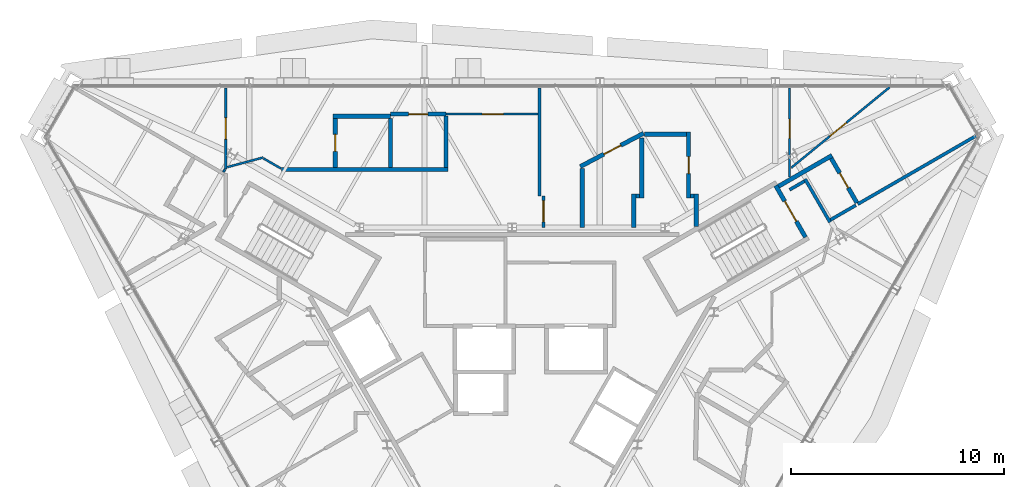
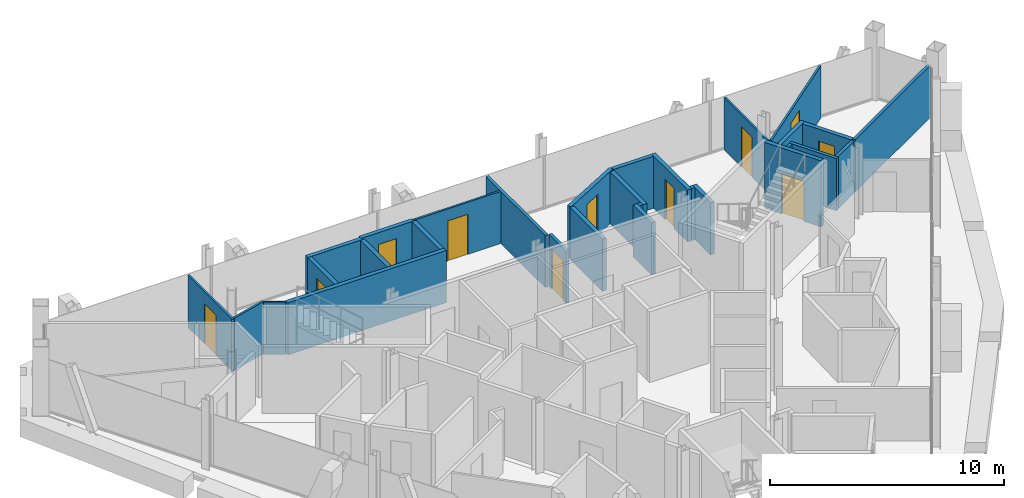
# One storey, part 12 of 15: 31 walls, 11 doors, 11 openings.
"""IFC4 building model written with IfcOpenShell, lengths in metres."""

from ifc_helpers import new_model, si_unit, direction, frame, frame_2d, origin, place, context, subcontext, project, spatial, rectangle, extrude, material, layer, layer_set, type_object, element, fill, save


model = new_model("IFC4")

# Units and contexts
model_context = context("Model", 3, precision=1e-05, world=origin(), true_north=direction((0.0, 1.0)))
body_context = subcontext(model_context, "Body", "Model", "MODEL_VIEW")
ifc_project = project(units=[si_unit("LENGTHUNIT", "METRE"), si_unit("AREAUNIT", "SQUARE_METRE"), si_unit("VOLUMEUNIT", "CUBIC_METRE"), si_unit("PLANEANGLEUNIT", "RADIAN"), si_unit("MASSUNIT", "GRAM", prefix="KILO")], contexts=[model_context])

# Site, building, storey
site_placement = place(None, origin())
site = spatial("IfcSite", under=ifc_project, at=site_placement, CompositionType="ELEMENT")
building_placement = place(site_placement, origin())
building = spatial("IfcBuilding", under=site, at=building_placement, Name="Verrane Prism Tower", CompositionType="ELEMENT")
storey_placement = place(building_placement, frame((0.0, 0.0, 301.0)))
storey = spatial("IfcBuildingStorey", under=building, at=storey_placement, Name="L76", CompositionType="ELEMENT", Elevation=301.0)

# Wall, opening, door
ifc_material_1 = material(Name="Concrete C40/50", Category="concrete")
ifc_layer_1 = layer(ifc_material_1, 0.199951171875)
ifc_layer_set_1 = layer_set([ifc_layer_1], Name="CW-200 stair core wall concrete C40/50 3 h")
wall_type_1 = type_object("IfcWallType", Name="CW-200 stair core wall concrete C40/50 3 h", PredefinedType="PARTITIONING", material=ifc_layer_set_1)
wall_1_placement = place(storey_placement, frame((13.777099609375, 6.337646484375, 0.0), z_axis=(0.0, 0.0, 1.0), x_axis=(-0.500049511043, 0.865996816683, 0.0)))
wall_1 = element("IfcWall", 1, at=wall_1_placement, inside=storey, type_object=wall_type_1, Name="Stair 1 enclosure wall", PredefinedType="PARTITIONING", context=body_context, shape_type="SweptSolid", body=[
    extrude(rectangle(XDim=2.800048828125, YDim=0.199951171875, at=frame_2d((1.39990234375, 0.0))), origin(), (0.0, 0.0, 1.0), 3.449951171875),
])
opening_1_placement = place(wall_1_placement, frame((0.849853515625, 0.0, 0.0)))
opening_1 = element("IfcOpeningElement", 2, at=opening_1_placement, cuts=wall_1, Name="Opening D75500", PredefinedType="OPENING", context=body_context, shape_type="SweptSolid", body=[
    extrude(rectangle(XDim=1.10009765625, YDim=2.10009765625, at=frame_2d((0.550048828125, 1.050048828125))), frame((0.0, 0.10986328125, 0.0), z_axis=(0.0, -1.0, 0.0), x_axis=(1.0, 0.0, 0.0)), (0.0, 0.0, 1.0), 0.219970703125),
])
ifc_material_2 = material(Name="Timber veneered door leaf", Category="wood")
door_type_1 = type_object("IfcDoorType", Name="DR-1100x2100 FD90 single leaf stair", OperationType="NOTDEFINED", PredefinedType="DOOR", material=ifc_material_2)
door_1_placement = place(opening_1_placement, origin())
door_1 = element("IfcDoor", 3, at=door_1_placement, inside=storey, type_object=door_type_1, Name="Stair 1 door", OperationType="SINGLE_SWING_LEFT", OverallHeight=2.10009765625, OverallWidth=1.10009765625, PredefinedType="DOOR", context=body_context, shape_type="SweptSolid", body=[
    extrude(rectangle(XDim=1.10009765625, YDim=2.10009765625, at=frame_2d((0.550048828125, 1.050048828125))), frame((0.0, 0.02490234375, 0.0), z_axis=(0.0, -1.0, 0.0), x_axis=(1.0, 0.0, 0.0)), (0.0, 0.0, 1.0), 0.050048828125),
])
fill(opening_1, door_1)

# Wall
ifc_material_3 = material(Name="Gypsum board partition", Category="other")
ifc_layer_2 = layer(ifc_material_3, 0.10009765625)
ifc_layer_set_2 = layer_set([ifc_layer_2], Name="PW-100 room partition")
wall_type_2 = type_object("IfcWallType", Name="PW-100 room partition", PredefinedType="PARTITIONING", material=ifc_layer_set_2)
wall_2_placement = place(storey_placement, frame((-13.5654296875, 9.404052734375, 0.0), z_axis=(0.0, 0.0, 1.0), x_axis=(0.500563174455, 0.865700010615, 0.0)))
element("IfcWall", 4, at=wall_2_placement, inside=storey, type_object=wall_type_2, Name="Room partition 009", PredefinedType="PARTITIONING", context=body_context, shape_type="SweptSolid", body=[
    extrude(rectangle(XDim=0.142333984375, YDim=0.10009765625, at=frame_2d((0.0712890625, 0.0))), origin(), (0.0, 0.0, 1.0), 2.722900390625),
])

# Wall, opening, door
wall_3_placement = place(storey_placement, frame((-13.458984375, 9.5380859375, 0.0), z_axis=(0.0, 0.0, 1.0), x_axis=(0.0, 1.0, 0.0)))
wall_3 = element("IfcWall", 5, at=wall_3_placement, inside=storey, type_object=wall_type_2, Name="Room partition 011", PredefinedType="PARTITIONING", context=body_context, shape_type="SweptSolid", body=[
    extrude(rectangle(XDim=3.81298828125, YDim=0.10009765625, at=frame_2d((1.906494140625, 0.0))), origin(), (0.0, 0.0, 1.0), 2.722900390625),
])
opening_2_placement = place(wall_3_placement, frame((1.39990234375, 0.0, 0.0)))
opening_2 = element("IfcOpeningElement", 6, at=opening_2_placement, cuts=wall_3, Name="Opening D75019", PredefinedType="OPENING", context=body_context, shape_type="SweptSolid", body=[
    extrude(rectangle(XDim=1.0, YDim=2.10009765625, at=frame_2d((0.5, 1.050048828125))), frame((0.0, 0.06005859375, 0.0), z_axis=(0.0, -1.0, 0.0), x_axis=(1.0, 0.0, 0.0)), (0.0, 0.0, 1.0), 0.1201171875),
])
ifc_material_4 = material(Name="Timber veneered door leaf", Category="wood")
door_type_2 = type_object("IfcDoorType", Name="DR-1000x2100 single leaf inner", OperationType="NOTDEFINED", PredefinedType="DOOR", material=ifc_material_4)
door_2_placement = place(opening_2_placement, origin())
door_2 = element("IfcDoor", 7, at=door_2_placement, inside=storey, type_object=door_type_2, Name="Living And Dining Room door", OperationType="SINGLE_SWING_LEFT", OverallHeight=2.10009765625, OverallWidth=1.0, PredefinedType="DOOR", context=body_context, shape_type="SweptSolid", body=[
    extrude(rectangle(XDim=1.0, YDim=2.10009765625, at=frame_2d((0.5, 1.050048828125))), frame((0.0, 0.02490234375, 0.0), z_axis=(0.0, -1.0, 0.0), x_axis=(1.0, 0.0, 0.0)), (0.0, 0.0, 1.0), 0.050048828125),
])
fill(opening_2, door_2)

# Walls
wall_4_placement = place(storey_placement, frame((-13.383056640625, 9.6279296875, 0.0), z_axis=(0.0, 0.0, 1.0), x_axis=(0.966010217228, 0.258503888194, 0.0)))
element("IfcWall", 8, at=wall_4_placement, inside=storey, type_object=wall_type_2, Name="Room partition 012", PredefinedType="PARTITIONING", context=body_context, shape_type="SweptSolid", body=[
    extrude(rectangle(XDim=1.751953125, YDim=0.10009765625, at=frame_2d((0.8759765625, 0.0))), origin(), (0.0, 0.0, 1.0), 2.722900390625),
])
wall_5_placement = place(storey_placement, frame((-11.678466796875, 10.032958984375, 0.0), z_axis=(0.0, 0.0, 1.0), x_axis=(0.866116627388, -0.499841962787, 0.0)))
element("IfcWall", 9, at=wall_5_placement, inside=storey, type_object=wall_type_2, Name="Room partition 016", PredefinedType="PARTITIONING", context=body_context, shape_type="SweptSolid", body=[
    extrude(rectangle(XDim=0.943115234375, YDim=0.10009765625, at=frame_2d((0.4716796875, 0.0))), origin(), (0.0, 0.0, 1.0), 2.722900390625),
])

# Wall, opening, door
wall_6_placement = place(storey_placement, frame((-3.10888671875, 12.118896484375, 0.0), z_axis=(0.0, 0.0, 1.0), x_axis=(1.0, 0.0, 0.0)))
wall_6 = element("IfcWall", 10, at=wall_6_placement, inside=storey, type_object=wall_type_2, Name="Room partition 039", PredefinedType="PARTITIONING", context=body_context, shape_type="SweptSolid", body=[
    extrude(rectangle(XDim=4.31982421875, YDim=0.10009765625, at=frame_2d((2.159912109375, 0.0))), origin(), (0.0, 0.0, 1.0), 2.722900390625),
])
opening_3_placement = place(wall_6_placement, frame((1.699951171875, 0.0, 0.0)))
opening_3 = element("IfcOpeningElement", 11, at=opening_3_placement, cuts=wall_6, Name="Opening D75017", PredefinedType="OPENING", context=body_context, shape_type="SweptSolid", body=[
    extrude(rectangle(XDim=1.0, YDim=2.10009765625, at=frame_2d((0.5, 1.050048828125))), frame((0.0, 0.06005859375, 0.0), z_axis=(0.0, -1.0, 0.0), x_axis=(1.0, 0.0, 0.0)), (0.0, 0.0, 1.0), 0.1201171875),
])
door_3_placement = place(opening_3_placement, origin())
door_3 = element("IfcDoor", 12, at=door_3_placement, inside=storey, type_object=door_type_2, Name="Entrance Foyer door", OperationType="SINGLE_SWING_LEFT", OverallHeight=2.10009765625, OverallWidth=1.0, PredefinedType="DOOR", context=body_context, shape_type="SweptSolid", body=[
    extrude(rectangle(XDim=1.0, YDim=2.10009765625, at=frame_2d((0.5, 1.050048828125))), frame((0.0, 0.02490234375, 0.0), z_axis=(0.0, -1.0, 0.0), x_axis=(1.0, 0.0, 0.0)), (0.0, 0.0, 1.0), 0.050048828125),
])
fill(opening_3, door_3)

wall_7_placement = place(storey_placement, frame((13.031005859375, 13.35107421875, 0.0), z_axis=(0.0, 0.0, 1.0), x_axis=(0.0, -1.0, 0.0)))
wall_7 = element("IfcWall", 13, at=wall_7_placement, inside=storey, type_object=wall_type_2, Name="Room partition 084", PredefinedType="PARTITIONING", context=body_context, shape_type="SweptSolid", body=[
    extrude(rectangle(XDim=4.1826171875, YDim=0.10009765625, at=frame_2d((2.09130859375, 0.0))), origin(), (0.0, 0.0, 1.0), 2.722900390625),
])
opening_4_placement = place(wall_7_placement, frame((1.468994140625, 0.0, 0.0)))
opening_4 = element("IfcOpeningElement", 14, at=opening_4_placement, cuts=wall_7, Name="Opening D75011", PredefinedType="OPENING", context=body_context, shape_type="SweptSolid", body=[
    extrude(rectangle(XDim=0.89990234375, YDim=2.10009765625, at=frame_2d((0.449951171875, 1.050048828125))), frame((0.0, 0.06005859375, 0.0), z_axis=(0.0, -1.0, 0.0), x_axis=(1.0, 0.0, 0.0)), (0.0, 0.0, 1.0), 0.1201171875),
])
ifc_material_5 = material(Name="Timber veneered door leaf", Category="wood")
door_type_3 = type_object("IfcDoorType", Name="DR-900x2100 single leaf inner", OperationType="NOTDEFINED", PredefinedType="DOOR", material=ifc_material_5)
door_4_placement = place(opening_4_placement, origin())
door_4 = element("IfcDoor", 15, at=door_4_placement, inside=storey, type_object=door_type_3, Name="Living And Dining Room door", OperationType="SINGLE_SWING_RIGHT", OverallHeight=2.10009765625, OverallWidth=0.89990234375, PredefinedType="DOOR", context=body_context, shape_type="SweptSolid", body=[
    extrude(rectangle(XDim=0.89990234375, YDim=2.10009765625, at=frame_2d((0.449951171875, 1.050048828125))), frame((0.0, 0.02490234375, 0.0), z_axis=(0.0, -1.0, 0.0), x_axis=(1.0, 0.0, 0.0)), (0.0, 0.0, 1.0), 0.050048828125),
])
fill(opening_4, door_4)

wall_8_placement = place(storey_placement, frame((17.73291015625, 13.38037109375, 0.0), z_axis=(0.0, 0.0, 1.0), x_axis=(-0.773858908961, -0.633358025939, 0.0)))
wall_8 = element("IfcWall", 16, at=wall_8_placement, inside=storey, type_object=wall_type_2, Name="Room partition 085", PredefinedType="PARTITIONING", context=body_context, shape_type="SweptSolid", body=[
    extrude(rectangle(XDim=5.970458984375, YDim=0.10009765625, at=frame_2d((2.9853515625, 0.0))), origin(), (0.0, 0.0, 1.0), 2.722900390625),
])
opening_5_placement = place(wall_8_placement, frame((2.6259765625, 0.0, 0.0)))
opening_5 = element("IfcOpeningElement", 17, at=opening_5_placement, cuts=wall_8, Name="Opening D75015", PredefinedType="OPENING", context=body_context, shape_type="SweptSolid", body=[
    extrude(rectangle(XDim=1.0, YDim=2.10009765625, at=frame_2d((0.5, 1.050048828125))), frame((0.0, 0.06005859375, 0.0), z_axis=(0.0, -1.0, 0.0), x_axis=(1.0, 0.0, 0.0)), (0.0, 0.0, 1.0), 0.1201171875),
])
door_5_placement = place(opening_5_placement, origin())
door_5 = element("IfcDoor", 18, at=door_5_placement, inside=storey, type_object=door_type_2, Name="Study door", OperationType="SINGLE_SWING_RIGHT", OverallHeight=2.10009765625, OverallWidth=1.0, PredefinedType="DOOR", context=body_context, shape_type="SweptSolid", body=[
    extrude(rectangle(XDim=1.0, YDim=2.10009765625, at=frame_2d((0.5, 1.050048828125))), frame((0.0, 0.02490234375, 0.0), z_axis=(0.0, -1.0, 0.0), x_axis=(1.0, 0.0, 0.0)), (0.0, 0.0, 1.0), 0.050048828125),
])
fill(opening_5, door_5)

# Wall
ifc_material_6 = material(Name="Gypsum board partition", Category="other")
ifc_layer_3 = layer(ifc_material_6, 0.14990234375)
ifc_layer_set_3 = layer_set([ifc_layer_3], Name="PW-150 demising wall 1 h")
wall_type_3 = type_object("IfcWallType", Name="PW-150 demising wall 1 h", PredefinedType="PARTITIONING", material=ifc_layer_set_3)
wall_9_placement = place(storey_placement, frame((1.285888671875, 8.26904296875, 0.0), z_axis=(0.0, 0.0, 1.0), x_axis=(0.0, 1.0, 0.0)))
element("IfcWall", 19, at=wall_9_placement, inside=storey, type_object=wall_type_3, Name="Demising wall 047", PredefinedType="PARTITIONING", context=body_context, shape_type="SweptSolid", body=[
    extrude(rectangle(XDim=5.08203125, YDim=0.14990234375, at=frame_2d((2.541015625, 0.0))), origin(), (0.0, 0.0, 1.0), 2.722900390625),
])

# Wall, opening, door
wall_10_placement = place(storey_placement, frame((1.468994140625, 8.26904296875, 0.0), z_axis=(0.0, 0.0, 1.0), x_axis=(0.0, -1.0, 0.0)))
wall_10 = element("IfcWall", 20, at=wall_10_placement, inside=storey, type_object=wall_type_3, Name="Demising wall 050", PredefinedType="PARTITIONING", context=body_context, shape_type="SweptSolid", body=[
    extrude(rectangle(XDim=1.468994140625, YDim=0.14990234375, at=frame_2d((0.734375, 0.0))), origin(), (0.0, 0.0, 1.0), 2.722900390625),
])
opening_6_placement = place(wall_10_placement, frame((0.218994140625, 0.0, 0.0)))
opening_6 = element("IfcOpeningElement", 21, at=opening_6_placement, cuts=wall_10, Name="Opening D75013", PredefinedType="OPENING", context=body_context, shape_type="SweptSolid", body=[
    extrude(rectangle(XDim=1.0, YDim=2.10009765625, at=frame_2d((0.5, 1.050048828125))), frame((0.0, 0.0849609375, 0.0), z_axis=(0.0, -1.0, 0.0), x_axis=(1.0, 0.0, 0.0)), (0.0, 0.0, 1.0), 0.169921875),
])
ifc_material_7 = material(Name="Timber veneered door leaf", Category="wood")
door_type_4 = type_object("IfcDoorType", Name="DR-1000x2100 FD20 single leaf inner", OperationType="NOTDEFINED", PredefinedType="DOOR", material=ifc_material_7)
door_6_placement = place(opening_6_placement, origin())
door_6 = element("IfcDoor", 22, at=door_6_placement, inside=storey, type_object=door_type_4, Name="Entrance Foyer door", OperationType="SINGLE_SWING_RIGHT", OverallHeight=2.10009765625, OverallWidth=1.0, PredefinedType="DOOR", context=body_context, shape_type="SweptSolid", body=[
    extrude(rectangle(XDim=1.0, YDim=2.10009765625, at=frame_2d((0.5, 1.050048828125))), frame((0.0, 0.02490234375, 0.0), z_axis=(0.0, -1.0, 0.0), x_axis=(1.0, 0.0, 0.0)), (0.0, 0.0, 1.0), 0.050048828125),
])
fill(opening_6, door_6)

# Walls
wall_11_placement = place(storey_placement, frame((13.031005859375, 8.56201171875, 0.0), z_axis=(0.0, 0.0, 1.0), x_axis=(0.865798205633, 0.500393312429, 0.0)))
element("IfcWall", 23, at=wall_11_placement, inside=storey, type_object=wall_type_3, Name="Demising wall 083", PredefinedType="PARTITIONING", context=body_context, shape_type="SweptSolid", body=[
    extrude(rectangle(XDim=0.808349609375, YDim=0.14990234375, at=frame_2d((0.404296875, 0.0))), origin(), (0.0, 0.0, 1.0), 2.722900390625),
])
wall_12_placement = place(storey_placement, frame((13.758544921875, 9.06884765625, 0.0), z_axis=(0.0, 0.0, 1.0), x_axis=(0.500046885369, -0.865998332812, 0.0)))
element("IfcWall", 24, at=wall_12_placement, inside=storey, type_object=wall_type_3, Name="Demising wall 086", PredefinedType="PARTITIONING", context=body_context, shape_type="SweptSolid", body=[
    extrude(rectangle(XDim=2.344970703125, YDim=0.14990234375, at=frame_2d((1.17236328125, 0.0))), origin(), (0.0, 0.0, 1.0), 2.722900390625),
])
wall_13_placement = place(storey_placement, frame((14.953857421875, 7.1494140625, 0.0), z_axis=(0.0, 0.0, 1.0), x_axis=(0.865960792519, 0.5001118933, 0.0)))
element("IfcWall", 25, at=wall_13_placement, inside=storey, type_object=wall_type_3, Name="Demising wall 088", PredefinedType="PARTITIONING", context=body_context, shape_type="SweptSolid", body=[
    extrude(rectangle(XDim=1.374755859375, YDim=0.14990234375, at=frame_2d((0.6875, 0.0))), origin(), (0.0, 0.0, 1.0), 2.722900390625),
])
wall_14_placement = place(storey_placement, frame((16.236083984375, 7.888916015625, 0.0), z_axis=(0.0, 0.0, 1.0), x_axis=(0.865995456094, 0.500051867335, 0.0)))
element("IfcWall", 26, at=wall_14_placement, inside=storey, type_object=wall_type_3, Name="Demising wall 091", PredefinedType="PARTITIONING", context=body_context, shape_type="SweptSolid", body=[
    extrude(rectangle(XDim=6.415283203125, YDim=0.14990234375, at=frame_2d((3.20751953125, 0.0))), origin(), (0.0, 0.0, 1.0), 2.722900390625),
])
ifc_material_8 = material(Name="Gypsum board partition", Category="other")
ifc_layer_4 = layer(ifc_material_8, 0.199951171875)
ifc_layer_set_4 = layer_set([ifc_layer_4], Name="PW-200 plumbing wall")
wall_type_4 = type_object("IfcWallType", Name="PW-200 plumbing wall", PredefinedType="PARTITIONING", material=ifc_layer_set_4)
wall_15_placement = place(storey_placement, frame((-10.837890625, 9.51904296875, 0.0), z_axis=(0.0, 0.0, 1.0), x_axis=(1.0, 0.0, 0.0)))
element("IfcWall", 27, at=wall_15_placement, inside=storey, type_object=wall_type_4, Name="Plumbing wall 019", PredefinedType="PARTITIONING", context=body_context, shape_type="SweptSolid", body=[
    extrude(rectangle(XDim=7.823974609375, YDim=0.199951171875, at=frame_2d((3.912109375, 0.0))), origin(), (0.0, 0.0, 1.0), 2.722900390625),
])

# Wall, opening, door
wall_16_placement = place(storey_placement, frame((-8.31396484375, 11.9189453125, 0.0), z_axis=(0.0, 0.0, 1.0), x_axis=(0.0, -1.0, 0.0)))
wall_16 = element("IfcWall", 28, at=wall_16_placement, inside=storey, type_object=wall_type_4, Name="Plumbing wall 022", PredefinedType="PARTITIONING", context=body_context, shape_type="SweptSolid", body=[
    extrude(rectangle(XDim=2.300048828125, YDim=0.199951171875, at=frame_2d((1.14990234375, 0.0))), origin(), (0.0, 0.0, 1.0), 2.722900390625),
])
opening_7_placement = place(wall_16_placement, frame((0.75, 0.0, 0.0)))
opening_7 = element("IfcOpeningElement", 29, at=opening_7_placement, cuts=wall_16, Name="Opening D75020", PredefinedType="OPENING", context=body_context, shape_type="SweptSolid", body=[
    extrude(rectangle(XDim=0.800048828125, YDim=2.10009765625, at=frame_2d((0.39990234375, 1.050048828125))), frame((0.0, 0.10986328125, 0.0), z_axis=(0.0, -1.0, 0.0), x_axis=(1.0, 0.0, 0.0)), (0.0, 0.0, 1.0), 0.219970703125),
])
ifc_material_9 = material(Name="Timber veneered door leaf", Category="wood")
door_type_5 = type_object("IfcDoorType", Name="DR-800x2100 single leaf inner", OperationType="NOTDEFINED", PredefinedType="DOOR", material=ifc_material_9)
door_7_placement = place(opening_7_placement, origin())
door_7 = element("IfcDoor", 30, at=door_7_placement, inside=storey, type_object=door_type_5, Name="Bathroom door", OperationType="SINGLE_SWING_LEFT", OverallHeight=2.10009765625, OverallWidth=0.800048828125, PredefinedType="DOOR", context=body_context, shape_type="SweptSolid", body=[
    extrude(rectangle(XDim=0.800048828125, YDim=2.10009765625, at=frame_2d((0.39990234375, 1.050048828125))), frame((0.0, 0.02490234375, 0.0), z_axis=(0.0, -1.0, 0.0), x_axis=(1.0, 0.0, 0.0)), (0.0, 0.0, 1.0), 0.050048828125),
])
fill(opening_7, door_7)

# Walls
wall_17_placement = place(storey_placement, frame((-8.4140625, 12.01904296875, 0.0), z_axis=(0.0, 0.0, 1.0), x_axis=(1.0, 0.0, 0.0)))
element("IfcWall", 31, at=wall_17_placement, inside=storey, type_object=wall_type_4, Name="Plumbing wall 023", PredefinedType="PARTITIONING", context=body_context, shape_type="SweptSolid", body=[
    extrude(rectangle(XDim=2.699951171875, YDim=0.199951171875, at=frame_2d((1.35009765625, 0.0))), origin(), (0.0, 0.0, 1.0), 2.722900390625),
])
wall_18_placement = place(storey_placement, frame((-5.714111328125, 9.618896484375, 0.0), z_axis=(0.0, 0.0, 1.0), x_axis=(0.0, 1.0, 0.0)))
element("IfcWall", 32, at=wall_18_placement, inside=storey, type_object=wall_type_4, Name="Plumbing wall 030", PredefinedType="PARTITIONING", context=body_context, shape_type="SweptSolid", body=[
    extrude(rectangle(XDim=2.300048828125, YDim=0.199951171875, at=frame_2d((1.14990234375, 0.0))), origin(), (0.0, 0.0, 1.0), 2.722900390625),
])

# Wall, opening, door
wall_19_placement = place(storey_placement, frame((-3.10888671875, 12.118896484375, 0.0), z_axis=(0.0, 0.0, 1.0), x_axis=(-1.0, 0.0, 0.0)))
wall_19 = element("IfcWall", 33, at=wall_19_placement, inside=storey, type_object=wall_type_4, Name="Plumbing wall 031", PredefinedType="PARTITIONING", context=body_context, shape_type="SweptSolid", body=[
    extrude(rectangle(XDim=2.605224609375, YDim=0.199951171875, at=frame_2d((1.302734375, 0.0))), origin(), (0.0, 0.0, 1.0), 2.722900390625),
])
opening_8_placement = place(wall_19_placement, frame((0.85498046875, 0.0, 0.0)))
opening_8 = element("IfcOpeningElement", 34, at=opening_8_placement, cuts=wall_19, Name="Opening D75018", PredefinedType="OPENING", context=body_context, shape_type="SweptSolid", body=[
    extrude(rectangle(XDim=0.89990234375, YDim=2.10009765625, at=frame_2d((0.449951171875, 1.050048828125))), frame((0.0, 0.10986328125, 0.0), z_axis=(0.0, -1.0, 0.0), x_axis=(1.0, 0.0, 0.0)), (0.0, 0.0, 1.0), 0.219970703125),
])
door_8_placement = place(opening_8_placement, origin())
door_8 = element("IfcDoor", 35, at=door_8_placement, inside=storey, type_object=door_type_3, Name="Kitchen door", OperationType="SINGLE_SWING_LEFT", OverallHeight=2.10009765625, OverallWidth=0.89990234375, PredefinedType="DOOR", context=body_context, shape_type="SweptSolid", body=[
    extrude(rectangle(XDim=0.89990234375, YDim=2.10009765625, at=frame_2d((0.449951171875, 1.050048828125))), frame((0.0, 0.02490234375, 0.0), z_axis=(0.0, -1.0, 0.0), x_axis=(1.0, 0.0, 0.0)), (0.0, 0.0, 1.0), 0.050048828125),
])
fill(opening_8, door_8)

# Walls
wall_20_placement = place(storey_placement, frame((-3.114013671875, 9.618896484375, 0.0), z_axis=(0.0, 0.0, 1.0), x_axis=(0.0, 1.0, 0.0)))
element("IfcWall", 36, at=wall_20_placement, inside=storey, type_object=wall_type_4, Name="Plumbing wall 038", PredefinedType="PARTITIONING", context=body_context, shape_type="SweptSolid", body=[
    extrude(rectangle(XDim=2.400146484375, YDim=0.199951171875, at=frame_2d((1.2001953125, 0.0))), origin(), (0.0, 0.0, 1.0), 2.722900390625),
])
wall_21_placement = place(storey_placement, frame((3.285888671875, 6.800048828125, 0.0), z_axis=(0.0, 0.0, 1.0), x_axis=(0.0, 1.0, 0.0)))
element("IfcWall", 37, at=wall_21_placement, inside=storey, type_object=wall_type_4, Name="Plumbing wall 056", PredefinedType="PARTITIONING", context=body_context, shape_type="SweptSolid", body=[
    extrude(rectangle(XDim=2.764892578125, YDim=0.199951171875, at=frame_2d((1.38232421875, 0.0))), origin(), (0.0, 0.0, 1.0), 2.722900390625),
])

# Wall, opening, door
wall_22_placement = place(storey_placement, frame((6.174560546875, 11.215576171875, 0.0), z_axis=(0.0, 0.0, 1.0), x_axis=(-0.885512941371, -0.464614712062, 0.0)))
wall_22 = element("IfcWall", 38, at=wall_22_placement, inside=storey, type_object=wall_type_4, Name="Plumbing wall 057", PredefinedType="PARTITIONING", context=body_context, shape_type="SweptSolid", body=[
    extrude(rectangle(XDim=3.362060546875, YDim=0.199951171875, at=frame_2d((1.68115234375, 0.0))), origin(), (0.0, 0.0, 1.0), 2.722900390625),
])
opening_9_placement = place(wall_22_placement, frame((1.2119140625, 0.0, 0.0)))
opening_9 = element("IfcOpeningElement", 39, at=opening_9_placement, cuts=wall_22, Name="Opening D75014", PredefinedType="OPENING", context=body_context, shape_type="SweptSolid", body=[
    extrude(rectangle(XDim=0.89990234375, YDim=2.10009765625, at=frame_2d((0.449951171875, 1.050048828125))), frame((0.0, 0.10986328125, 0.0), z_axis=(0.0, -1.0, 0.0), x_axis=(1.0, 0.0, 0.0)), (0.0, 0.0, 1.0), 0.219970703125),
])
door_9_placement = place(opening_9_placement, origin())
door_9 = element("IfcDoor", 40, at=door_9_placement, inside=storey, type_object=door_type_3, Name="Kitchen door", OperationType="SINGLE_SWING_LEFT", OverallHeight=2.10009765625, OverallWidth=0.89990234375, PredefinedType="DOOR", context=body_context, shape_type="SweptSolid", body=[
    extrude(rectangle(XDim=0.89990234375, YDim=2.10009765625, at=frame_2d((0.449951171875, 1.050048828125))), frame((0.0, 0.02490234375, 0.0), z_axis=(0.0, -1.0, 0.0), x_axis=(1.0, 0.0, 0.0)), (0.0, 0.0, 1.0), 0.050048828125),
])
fill(opening_9, door_9)

# Walls
wall_23_placement = place(storey_placement, frame((5.7109375, 6.800048828125, 0.0), z_axis=(0.0, 0.0, 1.0), x_axis=(0.0, 1.0, 0.0)))
element("IfcWall", 41, at=wall_23_placement, inside=storey, type_object=wall_type_4, Name="Plumbing wall 063", PredefinedType="PARTITIONING", context=body_context, shape_type="SweptSolid", body=[
    extrude(rectangle(XDim=1.56884765625, YDim=0.199951171875, at=frame_2d((0.784423828125, 0.0))), origin(), (0.0, 0.0, 1.0), 2.722900390625),
])
wall_24_placement = place(storey_placement, frame((5.81103515625, 8.26904296875, 0.0), z_axis=(0.0, 0.0, 1.0), x_axis=(1.0, 0.0, 0.0)))
element("IfcWall", 42, at=wall_24_placement, inside=storey, type_object=wall_type_4, Name="Plumbing wall 064", PredefinedType="PARTITIONING", context=body_context, shape_type="SweptSolid", body=[
    extrude(rectangle(XDim=0.175048828125, YDim=0.199951171875, at=frame_2d((0.08740234375, 0.0))), origin(), (0.0, 0.0, 1.0), 2.722900390625),
])
wall_25_placement = place(storey_placement, frame((6.0859375, 8.1689453125, 0.0), z_axis=(0.0, 0.0, 1.0), x_axis=(0.0, 1.0, 0.0)))
element("IfcWall", 43, at=wall_25_placement, inside=storey, type_object=wall_type_4, Name="Plumbing wall 065", PredefinedType="PARTITIONING", context=body_context, shape_type="SweptSolid", body=[
    extrude(rectangle(XDim=2.8349609375, YDim=0.199951171875, at=frame_2d((1.41748046875, 0.0))), origin(), (0.0, 0.0, 1.0), 2.722900390625),
])
wall_26_placement = place(storey_placement, frame((6.220947265625, 11.1689453125, 0.0), z_axis=(0.0, 0.0, 1.0), x_axis=(1.0, 0.0, 0.0)))
element("IfcWall", 44, at=wall_26_placement, inside=storey, type_object=wall_type_4, Name="Plumbing wall 066", PredefinedType="PARTITIONING", context=body_context, shape_type="SweptSolid", body=[
    extrude(rectangle(XDim=1.965087890625, YDim=0.199951171875, at=frame_2d((0.982421875, 0.0))), origin(), (0.0, 0.0, 1.0), 2.722900390625),
])

# Wall, opening, door
wall_27_placement = place(storey_placement, frame((8.285888671875, 8.1689453125, 0.0), z_axis=(0.0, 0.0, 1.0), x_axis=(0.0, 1.0, 0.0)))
wall_27 = element("IfcWall", 45, at=wall_27_placement, inside=storey, type_object=wall_type_4, Name="Plumbing wall 068", PredefinedType="PARTITIONING", context=body_context, shape_type="SweptSolid", body=[
    extrude(rectangle(XDim=3.10009765625, YDim=0.199951171875, at=frame_2d((1.550048828125, 0.0))), origin(), (0.0, 0.0, 1.0), 2.722900390625),
])
opening_10_placement = place(wall_27_placement, frame((1.14990234375, 0.0, 0.0)))
opening_10 = element("IfcOpeningElement", 46, at=opening_10_placement, cuts=wall_27, Name="Opening D75012", PredefinedType="OPENING", context=body_context, shape_type="SweptSolid", body=[
    extrude(rectangle(XDim=0.800048828125, YDim=2.10009765625, at=frame_2d((0.39990234375, 1.050048828125))), frame((0.0, 0.10986328125, 0.0), z_axis=(0.0, -1.0, 0.0), x_axis=(1.0, 0.0, 0.0)), (0.0, 0.0, 1.0), 0.219970703125),
])
door_10_placement = place(opening_10_placement, origin())
door_10 = element("IfcDoor", 47, at=door_10_placement, inside=storey, type_object=door_type_5, Name="Powder Room door", OperationType="SINGLE_SWING_RIGHT", OverallHeight=2.10009765625, OverallWidth=0.800048828125, PredefinedType="DOOR", context=body_context, shape_type="SweptSolid", body=[
    extrude(rectangle(XDim=0.800048828125, YDim=2.10009765625, at=frame_2d((0.39990234375, 1.050048828125))), frame((0.0, 0.02490234375, 0.0), z_axis=(0.0, -1.0, 0.0), x_axis=(1.0, 0.0, 0.0)), (0.0, 0.0, 1.0), 0.050048828125),
])
fill(opening_10, door_10)

# Walls
wall_28_placement = place(storey_placement, frame((8.385986328125, 8.26904296875, 0.0), z_axis=(0.0, 0.0, 1.0), x_axis=(1.0, 0.0, 0.0)))
element("IfcWall", 48, at=wall_28_placement, inside=storey, type_object=wall_type_4, Name="Plumbing wall 069", PredefinedType="PARTITIONING", context=body_context, shape_type="SweptSolid", body=[
    extrude(rectangle(XDim=0.1630859375, YDim=0.199951171875, at=frame_2d((0.08154296875, 0.0))), origin(), (0.0, 0.0, 1.0), 2.722900390625),
])
wall_29_placement = place(storey_placement, frame((8.64892578125, 6.841064453125, 0.0), z_axis=(0.0, 0.0, 1.0), x_axis=(0.0, 1.0, 0.0)))
element("IfcWall", 49, at=wall_29_placement, inside=storey, type_object=wall_type_4, Name="Plumbing wall 072", PredefinedType="PARTITIONING", context=body_context, shape_type="SweptSolid", body=[
    extrude(rectangle(XDim=1.52783203125, YDim=0.199951171875, at=frame_2d((0.763916015625, 0.0))), origin(), (0.0, 0.0, 1.0), 2.722900390625),
])
wall_30_placement = place(storey_placement, frame((12.513916015625, 8.72607421875, 0.0), z_axis=(0.0, 0.0, 1.0), x_axis=(0.865969617579, 0.500096612097, 0.0)))
element("IfcWall", 50, at=wall_30_placement, inside=storey, type_object=wall_type_4, Name="Plumbing wall 082", PredefinedType="PARTITIONING", context=body_context, shape_type="SweptSolid", body=[
    extrude(rectangle(XDim=2.8994140625, YDim=0.199951171875, at=frame_2d((1.44970703125, 0.0))), origin(), (0.0, 0.0, 1.0), 2.722900390625),
])

# Wall, opening, door
wall_31_placement = place(storey_placement, frame((16.193603515625, 7.951904296875, 0.0), z_axis=(0.0, 0.0, 1.0), x_axis=(-0.500125724882, 0.865952804321, 0.0)))
wall_31 = element("IfcWall", 51, at=wall_31_placement, inside=storey, type_object=wall_type_4, Name="Plumbing wall 089", PredefinedType="PARTITIONING", context=body_context, shape_type="SweptSolid", body=[
    extrude(rectangle(XDim=2.41064453125, YDim=0.199951171875, at=frame_2d((1.205322265625, 0.0))), origin(), (0.0, 0.0, 1.0), 2.722900390625),
])
opening_11_placement = place(wall_31_placement, frame((0.810546875, 0.0, 0.0)))
opening_11 = element("IfcOpeningElement", 52, at=opening_11_placement, cuts=wall_31, Name="Opening D75016", PredefinedType="OPENING", context=body_context, shape_type="SweptSolid", body=[
    extrude(rectangle(XDim=0.800048828125, YDim=2.10009765625, at=frame_2d((0.39990234375, 1.050048828125))), frame((0.0, 0.10986328125, 0.0), z_axis=(0.0, -1.0, 0.0), x_axis=(1.0, 0.0, 0.0)), (0.0, 0.0, 1.0), 0.219970703125),
])
ifc_material_10 = material(Name="Timber veneered door leaf", Category="wood")
door_type_6 = type_object("IfcDoorType", Name="DR-800x2100 single leaf bath", OperationType="NOTDEFINED", PredefinedType="DOOR", material=ifc_material_10)
door_11_placement = place(opening_11_placement, origin())
door_11 = element("IfcDoor", 53, at=door_11_placement, inside=storey, type_object=door_type_6, Name="Master Bathroom door", OperationType="SINGLE_SWING_LEFT", OverallHeight=2.10009765625, OverallWidth=0.800048828125, PredefinedType="DOOR", context=body_context, shape_type="SweptSolid", body=[
    extrude(rectangle(XDim=0.800048828125, YDim=2.10009765625, at=frame_2d((0.39990234375, 1.050048828125))), frame((0.0, 0.02490234375, 0.0), z_axis=(0.0, -1.0, 0.0), x_axis=(1.0, 0.0, 0.0)), (0.0, 0.0, 1.0), 0.050048828125),
])
fill(opening_11, door_11)

save(model, "model.ifc")
